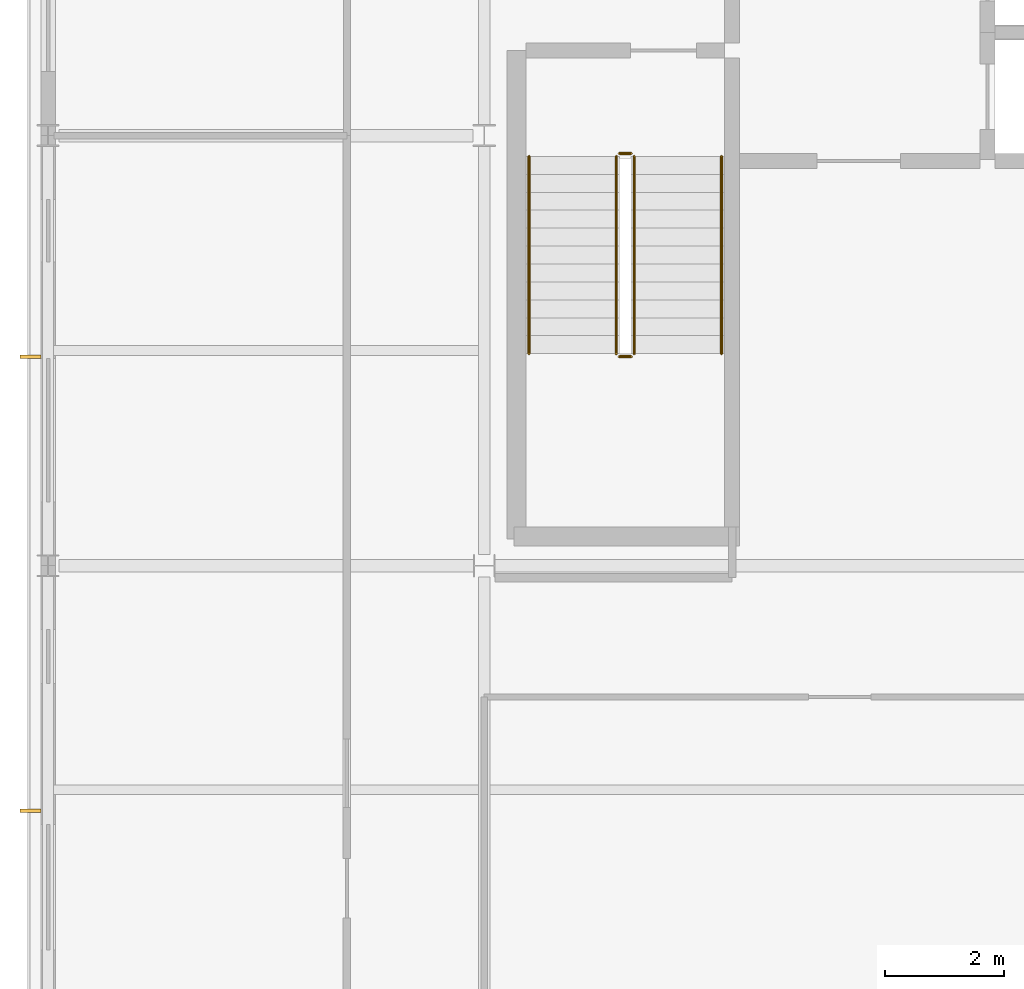
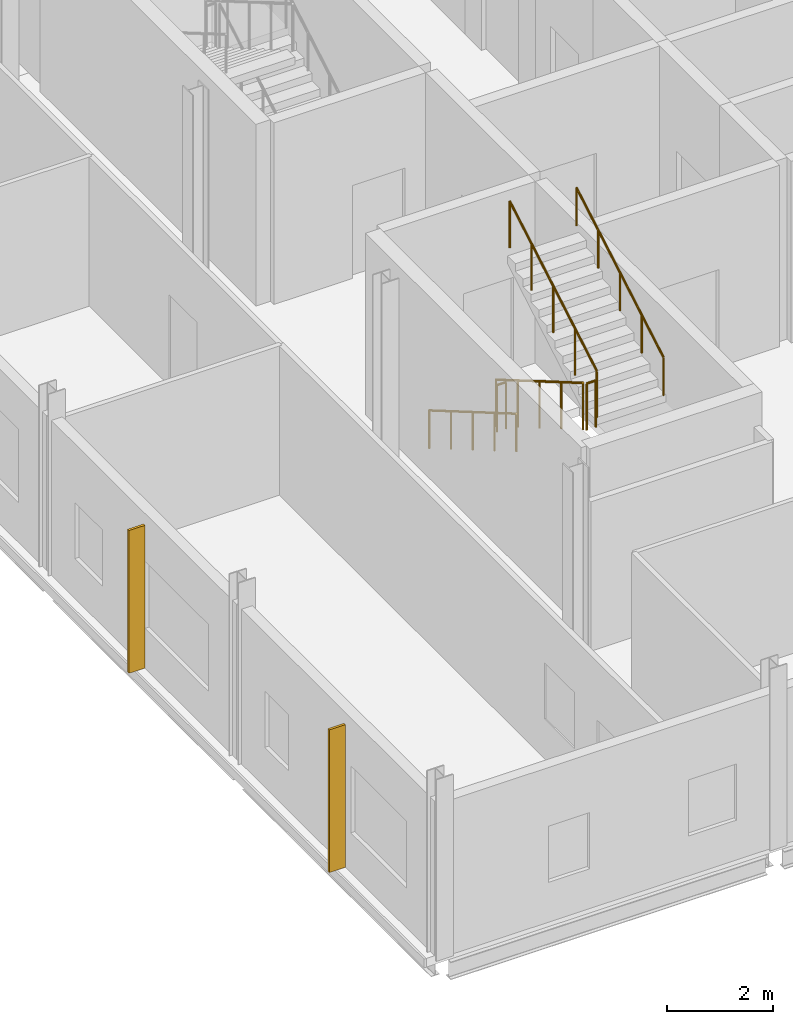
# One storey, part 14 of 16: 6 railings, 2 shading devices.
"""IFC4 building model written with IfcOpenShell, lengths in metres."""

from ifc_helpers import new_model, si_unit, direction, frame, origin, origin_2d, place, context, subcontext, project, spatial, rectangle, circle, extrude, material, type_object, element, save


model = new_model("IFC4")

# Units and contexts
model_context = context("Model", 3, precision=1e-05, world=origin(), true_north=direction((0.0, 1.0)))
body_context = subcontext(model_context, "Body", "Model", "MODEL_VIEW")
ifc_project = project(units=[si_unit("LENGTHUNIT", "METRE"), si_unit("AREAUNIT", "SQUARE_METRE"), si_unit("VOLUMEUNIT", "CUBIC_METRE"), si_unit("PLANEANGLEUNIT", "RADIAN"), si_unit("MASSUNIT", "GRAM", prefix="KILO")], contexts=[model_context])

# Site, building, storey
site_placement = place(None, origin())
site = spatial("IfcSite", under=ifc_project, at=site_placement, CompositionType="ELEMENT")
building_placement = place(site_placement, origin())
building = spatial("IfcBuilding", under=site, at=building_placement, Name="Quillay Park Conservatory", CompositionType="ELEMENT")
storey_placement = place(building_placement, frame((0.0, 0.0, 39.300048828125)))
storey = spatial("IfcBuildingStorey", under=building, at=storey_placement, Name="L09", CompositionType="ELEMENT", Elevation=39.300048828125)

# Railings
ifc_material_1 = material(Name="Steel S355J2H", Category="steel")
railing_type_1 = type_object("IfcRailingType", Name="STAIR WALL HANDRAIL 900", PredefinedType="HANDRAIL", material=ifc_material_1)
railing_1_placement = place(storey_placement, frame((8.60009765625, 84.85009765625, 0.175048828125)))
element("IfcRailing", 1, at=railing_1_placement, inside=storey, type_object=railing_type_1, Name="L09 ST-T2 stair handrail 1", PredefinedType="HANDRAIL", context=body_context, shape_type="SweptSolid", body=[
    extrude(circle(Radius=0.02392578125, at=origin_2d()), frame((0.0, 0.0, 0.8759765625), z_axis=(0.0, -0.863804395585, 0.503827317807), x_axis=(1.0, 0.0, 0.0)), (0.0, 0.0, 1.0), 3.8203125),
    extrude(circle(Radius=0.02099609375, at=origin_2d()), origin(), (0.0, 0.0, 1.0), 0.851806640625),
    extrude(circle(Radius=0.02099609375, at=origin_2d()), frame((0.0, -0.824951171875, 0.481201171875)), (0.0, 0.0, 1.0), 0.851806640625),
    extrude(circle(Radius=0.02099609375, at=origin_2d()), frame((0.0, -1.64990234375, 0.96240234375)), (0.0, 0.0, 1.0), 0.851806640625),
    extrude(circle(Radius=0.02099609375, at=origin_2d()), frame((0.0, -2.47509765625, 1.443603515625)), (0.0, 0.0, 1.0), 0.851806640625),
    extrude(circle(Radius=0.02099609375, at=origin_2d()), frame((0.0, -3.300048828125, 1.9248046875)), (0.0, 0.0, 1.0), 0.851806640625),
])
railing_2_placement = place(storey_placement, frame((11.820068359375, 81.550048828125, 2.27490234375)))
element("IfcRailing", 2, at=railing_2_placement, inside=storey, type_object=railing_type_1, Name="L09 ST-T2 stair handrail 2", PredefinedType="HANDRAIL", context=body_context, shape_type="SweptSolid", body=[
    extrude(circle(Radius=0.02392578125, at=origin_2d()), frame((0.0, 0.0, 0.8759765625), z_axis=(0.0, 0.863776583165, 0.503874998761), x_axis=(-1.0, 0.0, 0.0)), (0.0, 0.0, 1.0), 3.820556640625),
    extrude(circle(Radius=0.02099609375, at=origin_2d()), origin(), (0.0, 0.0, 1.0), 0.851806640625),
    extrude(circle(Radius=0.02099609375, at=origin_2d()), frame((0.0, 0.824951171875, 0.481201171875)), (0.0, 0.0, 1.0), 0.851806640625),
    extrude(circle(Radius=0.02099609375, at=origin_2d()), frame((0.0, 1.64990234375, 0.96240234375)), (0.0, 0.0, 1.0), 0.851806640625),
    extrude(circle(Radius=0.02099609375, at=origin_2d()), frame((0.0, 2.47509765625, 1.44384765625)), (0.0, 0.0, 1.0), 0.851806640625),
    extrude(circle(Radius=0.02099609375, at=origin_2d()), frame((0.0, 3.300048828125, 1.925048828125)), (0.0, 0.0, 1.0), 0.851806640625),
])
ifc_material_2 = material(Name="Steel S355J2H", Category="steel")
railing_type_2 = type_object("IfcRailingType", Name="STAIR WELL GUARDRAIL 1100", PredefinedType="GUARDRAIL", material=ifc_material_2)
railing_3_placement = place(storey_placement, frame((10.06005859375, 84.85009765625, 0.175048828125)))
element("IfcRailing", 3, at=railing_3_placement, inside=storey, type_object=railing_type_2, Name="L09 ST-T2 stair guard 1", PredefinedType="GUARDRAIL", context=body_context, shape_type="SweptSolid", body=[
    extrude(circle(Radius=0.02392578125, at=origin_2d()), frame((0.0, 0.0, 1.076171875), z_axis=(0.0, -0.863804395585, 0.503827317807), x_axis=(1.0, 0.0, 0.0)), (0.0, 0.0, 1.0), 3.8203125),
    extrude(circle(Radius=0.02099609375, at=origin_2d()), origin(), (0.0, 0.0, 1.0), 1.052001953125),
    extrude(circle(Radius=0.02099609375, at=origin_2d()), frame((0.0, -0.824951171875, 0.481201171875)), (0.0, 0.0, 1.0), 1.052001953125),
    extrude(circle(Radius=0.02099609375, at=origin_2d()), frame((0.0, -1.64990234375, 0.96240234375)), (0.0, 0.0, 1.0), 1.052001953125),
    extrude(circle(Radius=0.02099609375, at=origin_2d()), frame((0.0, -2.47509765625, 1.443603515625)), (0.0, 0.0, 1.0), 1.052001953125),
    extrude(circle(Radius=0.02099609375, at=origin_2d()), frame((0.0, -3.300048828125, 1.9248046875)), (0.0, 0.0, 1.0), 1.052001953125),
])
railing_4_placement = place(storey_placement, frame((10.110107421875, 81.5, 2.099853515625)))
element("IfcRailing", 4, at=railing_4_placement, inside=storey, type_object=railing_type_2, Name="L09 ST-T2 stair guard 2", PredefinedType="GUARDRAIL", context=body_context, shape_type="SweptSolid", body=[
    extrude(circle(Radius=0.02392578125, at=origin_2d()), frame((0.0, 0.0, 1.076171875), z_axis=(1.0, 0.0, 0.0), x_axis=(0.0, 1.0, 0.0)), (0.0, 0.0, 1.0), 0.199951171875),
    extrude(circle(Radius=0.02099609375, at=origin_2d()), origin(), (0.0, 0.0, 1.0), 1.052001953125),
    extrude(circle(Radius=0.02099609375, at=origin_2d()), frame((0.199951171875, 0.0, 0.0)), (0.0, 0.0, 1.0), 1.052001953125),
])
railing_5_placement = place(storey_placement, frame((10.360107421875, 81.550048828125, 2.27490234375)))
element("IfcRailing", 5, at=railing_5_placement, inside=storey, type_object=railing_type_2, Name="L09 ST-T2 stair guard 3", PredefinedType="GUARDRAIL", context=body_context, shape_type="SweptSolid", body=[
    extrude(circle(Radius=0.02392578125, at=origin_2d()), frame((0.0, 0.0, 1.076171875), z_axis=(0.0, 0.863776583165, 0.503874998761), x_axis=(-1.0, 0.0, 0.0)), (0.0, 0.0, 1.0), 3.820556640625),
    extrude(circle(Radius=0.02099609375, at=origin_2d()), origin(), (0.0, 0.0, 1.0), 1.052001953125),
    extrude(circle(Radius=0.02099609375, at=origin_2d()), frame((0.0, 0.824951171875, 0.481201171875)), (0.0, 0.0, 1.0), 1.052001953125),
    extrude(circle(Radius=0.02099609375, at=origin_2d()), frame((0.0, 1.64990234375, 0.96240234375)), (0.0, 0.0, 1.0), 1.052001953125),
    extrude(circle(Radius=0.02099609375, at=origin_2d()), frame((0.0, 2.47509765625, 1.44384765625)), (0.0, 0.0, 1.0), 1.052001953125),
    extrude(circle(Radius=0.02099609375, at=origin_2d()), frame((0.0, 3.300048828125, 1.925048828125)), (0.0, 0.0, 1.0), 1.052001953125),
])
railing_6_placement = place(storey_placement, frame((10.110107421875, 84.89990234375, 0.0)))
element("IfcRailing", 6, at=railing_6_placement, inside=storey, type_object=railing_type_2, Name="L09 ST-T2 stair guard 4", PredefinedType="GUARDRAIL", context=body_context, shape_type="SweptSolid", body=[
    extrude(circle(Radius=0.02392578125, at=origin_2d()), frame((0.0, 0.0, 1.076171875), z_axis=(1.0, 0.0, 0.0), x_axis=(0.0, 1.0, 0.0)), (0.0, 0.0, 1.0), 0.199951171875),
    extrude(circle(Radius=0.02099609375, at=origin_2d()), origin(), (0.0, 0.0, 1.0), 1.052001953125),
    extrude(circle(Radius=0.02099609375, at=origin_2d()), frame((0.199951171875, 0.0, 0.0)), (0.0, 0.0, 1.0), 1.052001953125),
])

# Shading devices
ifc_material_3 = material(Name="Perforated Copper-Bronze Anodised Aluminium", Category="aluminium")
shading_device_type = type_object("IfcShadingDeviceType", Name="COPPER BRONZE SOLAR FIN", PredefinedType="USERDEFINED", material=ifc_material_3)
for number, where, z_axis, x_axis, name in (
    (7, (0.2548828125, 73.89990234375, 0.0), (0.0, 0.0, 1.0), (1.0, 0.0, 0.0), "L09 Perforated Copper-Bronze Solar Fin 026"),
    (8, (0.2548828125, 81.5, 0.0), (0.0, 0.0, 1.0), (1.0, 0.0, 0.0), "L09 Perforated Copper-Bronze Solar Fin 027"),
):
    element("IfcShadingDevice", number, at=place(storey_placement, frame(where, z_axis=z_axis, x_axis=x_axis)), inside=storey, type_object=shading_device_type, Name=name, ObjectType="SOLAR FIN", PredefinedType="USERDEFINED", context=body_context, shape_type="SweptSolid", body=[
        extrude(rectangle(XDim=0.35009765625, YDim=0.054931640625, at=origin_2d()), origin(), (0.0, 0.0, 1.0), 3.300048828125),
    ])

save(model, "model.ifc")
